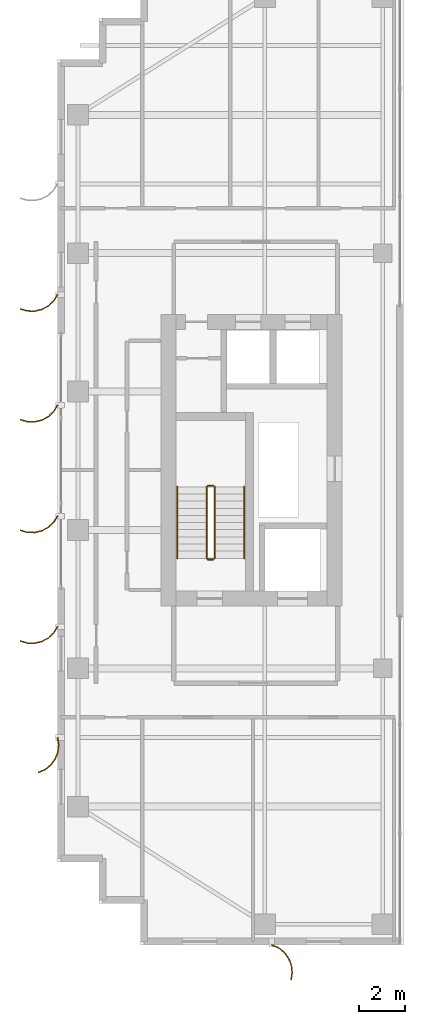
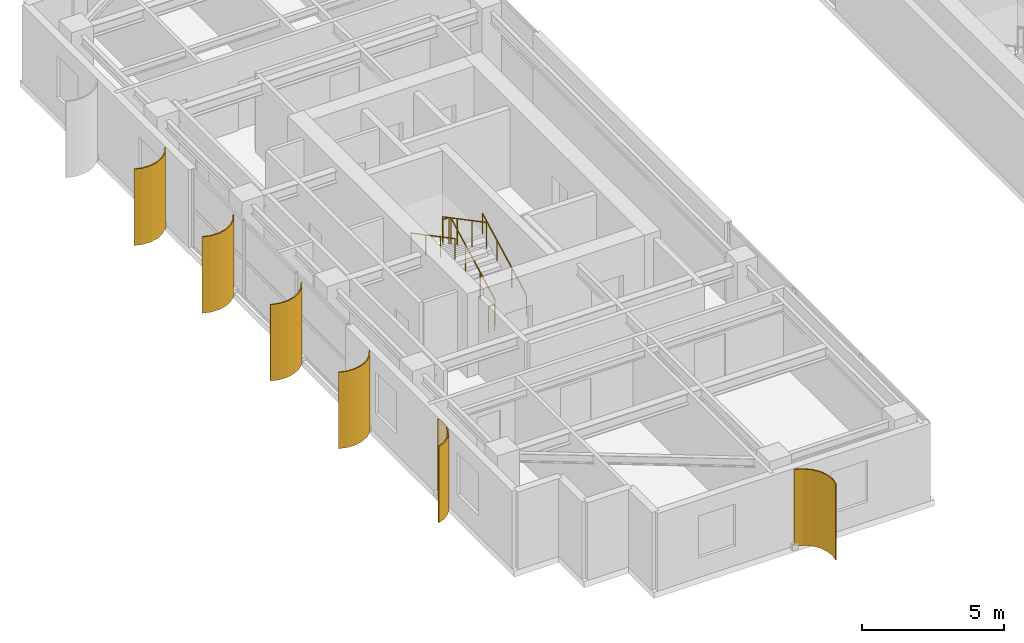
# One storey, part 20 of 22: 6 railings, 6 shading devices.
"""IFC4 building model written with IfcOpenShell, lengths in metres."""

from ifc_helpers import new_model, si_unit, direction, frame, origin, origin_2d, place, context, subcontext, project, spatial, polyline, circle, outline, extrude, source, transform, mapped, material, layer, layer_set, type_object, element, save


model = new_model("IFC4")

# Units and contexts
model_context = context("Model", 3, precision=1e-05, world=origin(), true_north=direction((0.0, 1.0)))
body_context = subcontext(model_context, "Body", "Model", "MODEL_VIEW")
ifc_project = project(units=[si_unit("LENGTHUNIT", "METRE"), si_unit("AREAUNIT", "SQUARE_METRE"), si_unit("VOLUMEUNIT", "CUBIC_METRE"), si_unit("PLANEANGLEUNIT", "RADIAN"), si_unit("MASSUNIT", "GRAM", prefix="KILO")], contexts=[model_context])

# Site, building, storey
site_placement = place(None, origin())
site = spatial("IfcSite", under=ifc_project, at=site_placement, CompositionType="ELEMENT")
building_placement = place(site_placement, origin())
building = spatial("IfcBuilding", under=site, at=building_placement, Name="Khoralis Quay Care Tower", CompositionType="ELEMENT")
storey_placement = place(building_placement, frame((0.0, 0.0, 202.5)))
storey = spatial("IfcBuildingStorey", under=building, at=storey_placement, Name="L53", CompositionType="ELEMENT", Elevation=202.5)

# Railings
ifc_material_1 = material(Name="Brushed stainless steel", Category="steel")
railing_type_1 = type_object("IfcRailingType", Name="RL-GUARD-1150", PredefinedType="GUARDRAIL", material=ifc_material_1)
railing_1_placement = place(storey_placement, frame((9.820068359375, 16.77001953125, 0.16357421875)))
element("IfcRailing", 1, at=railing_1_placement, inside=storey, type_object=railing_type_1, Name="L53 ST-T1 stair guard 1", PredefinedType="GUARDRAIL", context=body_context, shape_type="SweptSolid", body=[
    extrude(circle(Radius=0.02392578125, at=origin_2d()), frame((0.0, 0.0, 1.1259765625), z_axis=(0.0, 0.884348015382, 0.466828220752), x_axis=(-1.0, 0.0, 0.0)), (0.0, 0.0, 1.0), 3.505615234375),
    extrude(circle(Radius=0.02099609375, at=origin_2d()), origin(), (0.0, 0.0, 1.0), 1.101806640625),
    extrude(circle(Radius=0.02099609375, at=origin_2d()), frame((0.0, 1.033447265625, 0.54541015625)), (0.0, 0.0, 1.0), 1.101806640625),
    extrude(circle(Radius=0.02099609375, at=origin_2d()), frame((0.0, 2.066650390625, 1.091064453125)), (0.0, 0.0, 1.0), 1.101806640625),
    extrude(circle(Radius=0.02099609375, at=origin_2d()), frame((0.0, 3.10009765625, 1.636474609375)), (0.0, 0.0, 1.0), 1.101806640625),
])
railing_2_placement = place(storey_placement, frame((9.77001953125, 19.919921875, 1.800048828125)))
element("IfcRailing", 2, at=railing_2_placement, inside=storey, type_object=railing_type_1, Name="L53 ST-T1 stair guard 2", PredefinedType="GUARDRAIL", context=body_context, shape_type="SweptSolid", body=[
    extrude(circle(Radius=0.02392578125, at=origin_2d()), frame((0.0, 0.0, 1.1259765625), z_axis=(-1.0, 0.0, 0.0), x_axis=(0.0, -1.0, 0.0)), (0.0, 0.0, 1.0), 0.239990234375),
    extrude(circle(Radius=0.02099609375, at=origin_2d()), origin(), (0.0, 0.0, 1.0), 1.101806640625),
    extrude(circle(Radius=0.02099609375, at=origin_2d()), frame((-0.239990234375, 0.0, 0.0)), (0.0, 0.0, 1.0), 1.101806640625),
])
railing_3_placement = place(storey_placement, frame((9.47998046875, 19.8701171875, 1.963623046875)))
element("IfcRailing", 3, at=railing_3_placement, inside=storey, type_object=railing_type_1, Name="L53 ST-T1 stair guard 3", PredefinedType="GUARDRAIL", context=body_context, shape_type="SweptSolid", body=[
    extrude(circle(Radius=0.02392578125, at=origin_2d()), frame((0.0, 0.0, 1.1259765625), z_axis=(0.0, -0.884348015382, 0.466828220752), x_axis=(1.0, 0.0, 0.0)), (0.0, 0.0, 1.0), 3.505615234375),
    extrude(circle(Radius=0.02099609375, at=origin_2d()), origin(), (0.0, 0.0, 1.0), 1.101806640625),
    extrude(circle(Radius=0.02099609375, at=origin_2d()), frame((0.0, -1.033447265625, 0.54541015625)), (0.0, 0.0, 1.0), 1.101806640625),
    extrude(circle(Radius=0.02099609375, at=origin_2d()), frame((0.0, -2.066650390625, 1.091064453125)), (0.0, 0.0, 1.0), 1.101806640625),
    extrude(circle(Radius=0.02099609375, at=origin_2d()), frame((0.0, -3.10009765625, 1.636474609375)), (0.0, 0.0, 1.0), 1.101806640625),
])
railing_4_placement = place(storey_placement, frame((9.77001953125, 16.719970703125, 0.0)))
element("IfcRailing", 4, at=railing_4_placement, inside=storey, type_object=railing_type_1, Name="L53 ST-T1 stair guard 4", PredefinedType="GUARDRAIL", context=body_context, shape_type="SweptSolid", body=[
    extrude(circle(Radius=0.02392578125, at=origin_2d()), frame((0.0, 0.0, 1.1259765625), z_axis=(-1.0, 0.0, 0.0), x_axis=(0.0, -1.0, 0.0)), (0.0, 0.0, 1.0), 0.239990234375),
    extrude(circle(Radius=0.02099609375, at=origin_2d()), origin(), (0.0, 0.0, 1.0), 1.101806640625),
    extrude(circle(Radius=0.02099609375, at=origin_2d()), frame((-0.239990234375, 0.0, 0.0)), (0.0, 0.0, 1.0), 1.101806640625),
])
railing_type_2 = type_object("IfcRailingType", Name="RL-HAND-900", PredefinedType="HANDRAIL", material=ifc_material_1)
railing_5_placement = place(storey_placement, frame((11.10009765625, 16.77001953125, 0.16357421875)))
element("IfcRailing", 5, at=railing_5_placement, inside=storey, type_object=railing_type_2, Name="L53 ST-T1 stair handrail 1", PredefinedType="HANDRAIL", context=body_context, shape_type="SweptSolid", body=[
    extrude(circle(Radius=0.02392578125, at=origin_2d()), frame((0.0, 0.0, 0.8759765625), z_axis=(0.0, 0.884348015382, 0.466828220752), x_axis=(-1.0, 0.0, 0.0)), (0.0, 0.0, 1.0), 3.505615234375),
    extrude(circle(Radius=0.02099609375, at=origin_2d()), origin(), (0.0, 0.0, 1.0), 0.851806640625),
    extrude(circle(Radius=0.02099609375, at=origin_2d()), frame((0.0, 1.033447265625, 0.54541015625)), (0.0, 0.0, 1.0), 0.851806640625),
    extrude(circle(Radius=0.02099609375, at=origin_2d()), frame((0.0, 2.066650390625, 1.091064453125)), (0.0, 0.0, 1.0), 0.851806640625),
    extrude(circle(Radius=0.02099609375, at=origin_2d()), frame((0.0, 3.10009765625, 1.636474609375)), (0.0, 0.0, 1.0), 0.851806640625),
])
railing_6_placement = place(storey_placement, frame((8.199951171875, 19.8701171875, 1.963623046875)))
element("IfcRailing", 6, at=railing_6_placement, inside=storey, type_object=railing_type_2, Name="L53 ST-T1 stair handrail 2", PredefinedType="HANDRAIL", context=body_context, shape_type="SweptSolid", body=[
    extrude(circle(Radius=0.02392578125, at=origin_2d()), frame((0.0, 0.0, 0.8759765625), z_axis=(0.0, -0.884348015382, 0.466828220752), x_axis=(1.0, 0.0, 0.0)), (0.0, 0.0, 1.0), 3.505615234375),
    extrude(circle(Radius=0.02099609375, at=origin_2d()), origin(), (0.0, 0.0, 1.0), 0.851806640625),
    extrude(circle(Radius=0.02099609375, at=origin_2d()), frame((0.0, -1.033447265625, 0.54541015625)), (0.0, 0.0, 1.0), 0.851806640625),
    extrude(circle(Radius=0.02099609375, at=origin_2d()), frame((0.0, -2.066650390625, 1.091064453125)), (0.0, 0.0, 1.0), 0.851806640625),
    extrude(circle(Radius=0.02099609375, at=origin_2d()), frame((0.0, -3.10009765625, 1.636474609375)), (0.0, 0.0, 1.0), 0.851806640625),
])

# Shading devices
ifc_material_2 = material(Name="Brushed pale anodised aluminium", Category="aluminium")
ifc_layer = layer(ifc_material_2, 0.044921875)
ifc_layer_set = layer_set([ifc_layer], Name="Brushed pale anodised aluminium")
shading_device_type = type_object("IfcShadingDeviceType", Name="SHD-FIN-1250", PredefinedType="USERDEFINED", material=ifc_layer_set)
shared_shape_1 = source(origin(), body_context, "Body", "SweptSolid", [
    extrude(outline(polyline([(0.0, 0.0), (0.17041015625, 0.2783203125), (0.4072265625, 0.5029296875), (0.694091796875, 0.658447265625), (1.01123046875, 0.734619140625), (1.33740234375, 0.72607421875), (1.650390625, 0.633544921875), (1.632080078125, 0.59228515625), (1.330322265625, 0.681640625), (1.015869140625, 0.68994140625), (0.710205078125, 0.616455078125), (0.43359375, 0.466552734375), (0.20556640625, 0.25), (0.041015625, -0.018310546875), (0.0, 0.0)])), origin(), (0.0, 0.0, 1.0), 3.280029296875),
])
for number, where, z_axis, x_axis, name in (
    (7, (3.030029296875, 28.199951171875, 0.02001953125), (0.0, 0.0, 1.0), (-1.0, 0.0, 0.0), "L53 Curved Solar Fin P1E7-02"),
    (8, (3.030029296875, 23.39990234375, 0.02001953125), (0.0, 0.0, 1.0), (-1.0, 0.0, 0.0), "L53 Curved Solar Fin P1E7-03"),
    (9, (3.030029296875, 18.60009765625, 0.02001953125), (0.0, 0.0, 1.0), (-1.0, 0.0, 0.0), "L53 Curved Solar Fin P1E7-04"),
    (10, (3.030029296875, 13.800048828125, 0.02001953125), (0.0, 0.0, 1.0), (-1.0, 0.0, 0.0), "L53 Curved Solar Fin P1E7-05"),
):
    element("IfcShadingDevice", number, at=place(storey_placement, frame(where, z_axis=z_axis, x_axis=x_axis)), inside=storey, type_object=shading_device_type, Name=name, ObjectType="FIN", PredefinedType="USERDEFINED", context=body_context, shape_type="MappedRepresentation", body=[
        mapped(shared_shape_1, transform((0.0, 0.0, 0.0), scale=1.0)),
    ])
shared_shape_2 = source(origin(), body_context, "Body", "SweptSolid", [
    extrude(outline(polyline([(0.0, 0.0), (-0.04833984375, 0.32275390625), (-0.01123046875, 0.64697265625), (0.1083984375, 0.950439453125), (0.302490234375, 1.212890625), (0.557861328125, 1.416015625), (0.85693359375, 1.546142578125), (0.869384765625, 1.5029296875), (0.5810546875, 1.37744140625), (0.334716796875, 1.181640625), (0.147705078125, 0.9287109375), (0.032470703125, 0.635986328125), (-0.003173828125, 0.323486328125), (0.043212890625, 0.012451171875), (0.0, 0.0)])), origin(), (0.0, 0.0, 1.0), 3.280029296875),
])
shading_device_1_placement = place(storey_placement, frame((3.030029296875, 9.0, 0.02001953125), z_axis=(0.0, 0.0, 1.0), x_axis=(-1.0, 0.0, 0.0)))
element("IfcShadingDevice", 11, at=shading_device_1_placement, inside=storey, type_object=shading_device_type, Name="L53 Curved Solar Fin P1E7-06", ObjectType="FIN", PredefinedType="USERDEFINED", context=body_context, shape_type="MappedRepresentation", body=[
    mapped(shared_shape_2, transform((0.0, 0.0, 0.0), scale=1.0)),
])
shared_shape_3 = source(origin(), body_context, "Body", "SweptSolid", [
    extrude(outline(polyline([(0.0, 0.0), (0.130126953125, 0.29931640625), (0.333251953125, 0.5546875), (0.595458984375, 0.748779296875), (0.899169921875, 0.868408203125), (1.223388671875, 0.9052734375), (1.546142578125, 0.85693359375), (1.53369140625, 0.813720703125), (1.22265625, 0.8603515625), (0.91015625, 0.82470703125), (0.617431640625, 0.70947265625), (0.364501953125, 0.522216796875), (0.168701171875, 0.276123046875), (0.043212890625, -0.012451171875), (0.0, 0.0)])), origin(), (0.0, 0.0, 1.0), 3.280029296875),
])
shading_device_2_placement = place(storey_placement, frame((12.300048828125, 0.030029296875, 0.02001953125), z_axis=(0.0, 0.0, 1.0), x_axis=(0.0, -1.0, 0.0)))
element("IfcShadingDevice", 12, at=shading_device_2_placement, inside=storey, type_object=shading_device_type, Name="L53 Curved Solar Fin P1E0-01", ObjectType="FIN", PredefinedType="USERDEFINED", context=body_context, shape_type="MappedRepresentation", body=[
    mapped(shared_shape_3, transform((0.0, 0.0, 0.0), scale=1.0)),
])

save(model, "model.ifc")
